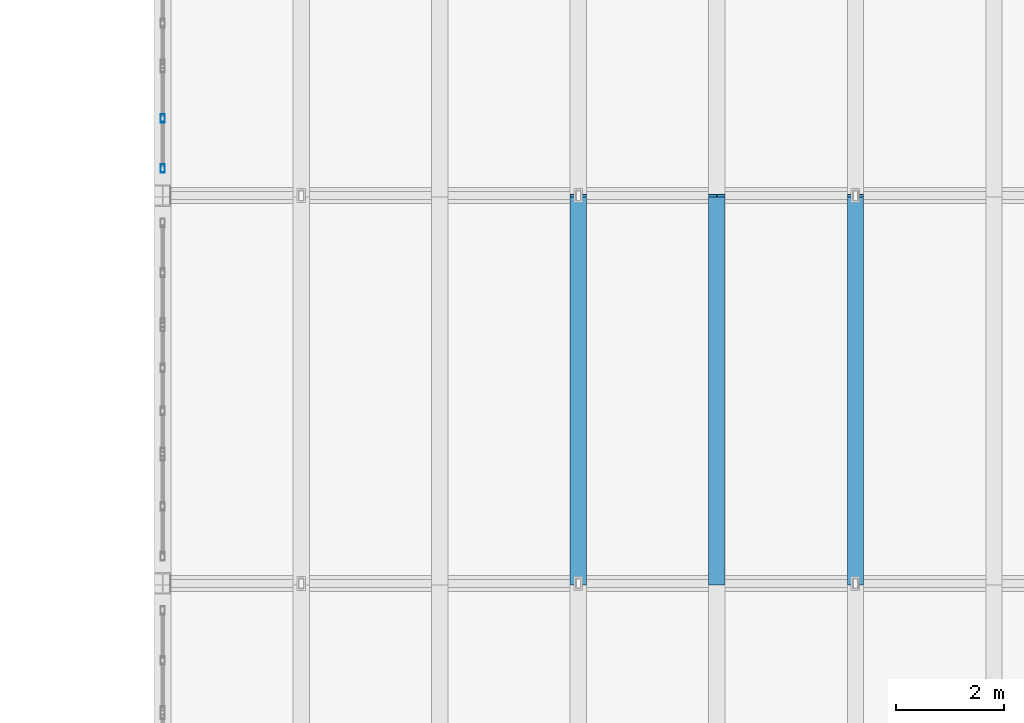
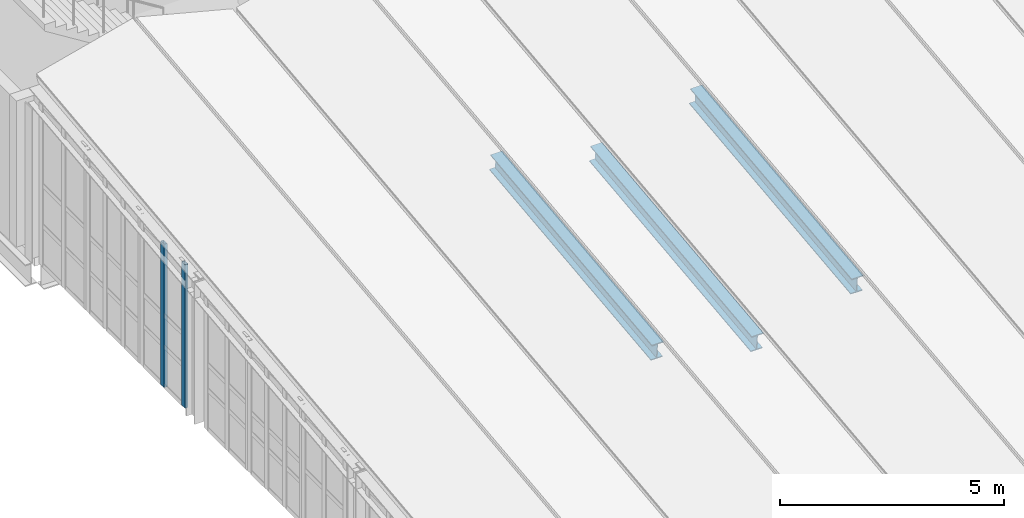
# One storey, part 11 of 48: 3 beams, 2 members, 1 element without a shape of its own.
"""IFC4 building model written with IfcOpenShell, lengths in metres."""

from ifc_helpers import new_model, si_unit, direction, frame, origin, origin_2d, place, context, subcontext, project, spatial, hollow_rectangle, i_section, extrude, material, layer, layer_set, material_profile, profile_set, type_object, element, aggregate, save


model = new_model("IFC4")

# Units and contexts
model_context = context("Model", 3, precision=1e-05, world=origin(), true_north=direction((0.0, 1.0)))
body_context = subcontext(model_context, "Body", "Model", "MODEL_VIEW")
ifc_project = project(units=[si_unit("LENGTHUNIT", "METRE"), si_unit("AREAUNIT", "SQUARE_METRE"), si_unit("VOLUMEUNIT", "CUBIC_METRE"), si_unit("PLANEANGLEUNIT", "RADIAN"), si_unit("MASSUNIT", "GRAM", prefix="KILO"), si_unit("THERMODYNAMICTEMPERATUREUNIT", "KELVIN"), si_unit("POWERUNIT", "WATT")], contexts=[model_context])

# Site, building, storey
site_placement = place(None, origin())
site = spatial("IfcSite", under=ifc_project, at=site_placement, CompositionType="ELEMENT")
building_placement = place(site_placement, origin())
building = spatial("IfcBuilding", under=site, at=building_placement, Name="Kaldorven Railside Theatre", CompositionType="ELEMENT")
storey_placement = place(building_placement, frame((0.0, 0.0, 18.89990234375)))
storey = spatial("IfcBuildingStorey", under=building, at=storey_placement, Name="L04", CompositionType="ELEMENT", Elevation=18.89990234375)

# Beams
ifc_material_1 = material(Name="Steel S355", Category="steel")
ifc_material_profile_1 = material_profile(ifc_material_1, i_section(OverallWidth=0.300048828125, OverallDepth=0.449951171875, WebThickness=0.013916015625, FlangeThickness=0.02587890625, at=origin_2d()), Name="HEB 450")
ifc_profile_set_1 = profile_set([ifc_material_profile_1], Name="Steel S355")
beam_type = type_object("IfcBeamType", Name="BM-HEB450", PredefinedType="BEAM", material=ifc_profile_set_1)
for number, where, z_axis, x_axis, name in (
    (1, (94.914306640625, 69.60009765625, 3.489501953125), (0.0, 0.993579716392, 0.113134199846), (-1.0, 0.0, 0.0), "V1 Folded-Plate Ridge Girder RB-028"),
    (2, (97.485595703125, 69.60009765625, 2.824462890625), (0.0, 0.993579716392, 0.113134199846), (-1.0, 0.0, 0.0), "V1 Folded-Plate Valley Girder VB-034"),
    (3, (100.05712890625, 69.60009765625, 3.489501953125), (0.0, 0.993579716392, 0.113134199846), (-1.0, 0.0, 0.0), "V1 Folded-Plate Ridge Girder RB-040"),
):
    element("IfcBeam", number, at=place(storey_placement, frame(where, z_axis=z_axis, x_axis=x_axis)), inside=storey, type_object=beam_type, Name=name, PredefinedType="BEAM", context=body_context, shape_type="SweptSolid", body=[
        extrude(i_section(OverallWidth=0.300048828125, OverallDepth=0.449951171875, WebThickness=0.013916015625, FlangeThickness=0.02587890625, at=origin_2d()), origin(), (0.0, 0.0, 1.0), 7.24658203125),
    ])

# Curtain wall, members
ifc_material_2 = material(Name="Low-E laminated solar-control glass", Category="glass")
ifc_layer = layer(ifc_material_2, 0.159912109375, Name="Low-E laminated solar-control glass")
ifc_layer_set = layer_set([ifc_layer], Name="Low-E laminated solar-control glass")
curtain_wall_type = type_object("IfcCurtainWallType", Name="CWT-38", PredefinedType="USERDEFINED", material=ifc_layer_set)
curtain_wall_placement = place(storey_placement, origin())
curtain_wall = element("IfcCurtainWall", 4, at=curtain_wall_placement, inside=storey, type_object=curtain_wall_type, Name="Main Theatre West Eave Clerestory CWG-014", ObjectType="FLUTED GLAZING", PredefinedType="USERDEFINED")
ifc_material_3 = material(Name="Anodised bronze aluminium", Category="aluminium")
ifc_material_profile_2 = material_profile(ifc_material_3, hollow_rectangle(XDim=0.080078125, YDim=0.159912109375, WallThickness=0.00634765625, at=origin_2d()), Name="RHS 160x80x6.3")
ifc_profile_set_2 = profile_set([ifc_material_profile_2], Name="Anodised bronze aluminium")
member_type = type_object("IfcMemberType", Name="CWM-160", PredefinedType="MULLION", material=ifc_profile_set_2)
member_1_placement = place(storey_placement, frame((87.199951171875, 77.304931640625, 0.02001953125), z_axis=(0.0, 0.0, 1.0), x_axis=(-1.0, 0.0, 0.0)))
member_1 = element("IfcMember", 5, at=member_1_placement, type_object=member_type, Name="CWG-014 mullion 1", PredefinedType="MULLION", context=body_context, shape_type="SweptSolid", body=[
    extrude(hollow_rectangle(XDim=0.080078125, YDim=0.159912109375, WallThickness=0.00634765625, at=origin_2d()), origin(), (0.0, 0.0, 1.0), 3.900146484375),
])
member_2_placement = place(storey_placement, frame((87.199951171875, 78.232421875, 0.02001953125), z_axis=(0.0, 0.0, 1.0), x_axis=(-1.0, 0.0, 0.0)))
member_2 = element("IfcMember", 6, at=member_2_placement, type_object=member_type, Name="CWG-014 mullion 2", PredefinedType="MULLION", context=body_context, shape_type="SweptSolid", body=[
    extrude(hollow_rectangle(XDim=0.080078125, YDim=0.159912109375, WallThickness=0.00634765625, at=origin_2d()), origin(), (0.0, 0.0, 1.0), 3.900146484375),
])
aggregate(curtain_wall, [member_1, member_2])

save(model, "model.ifc")
